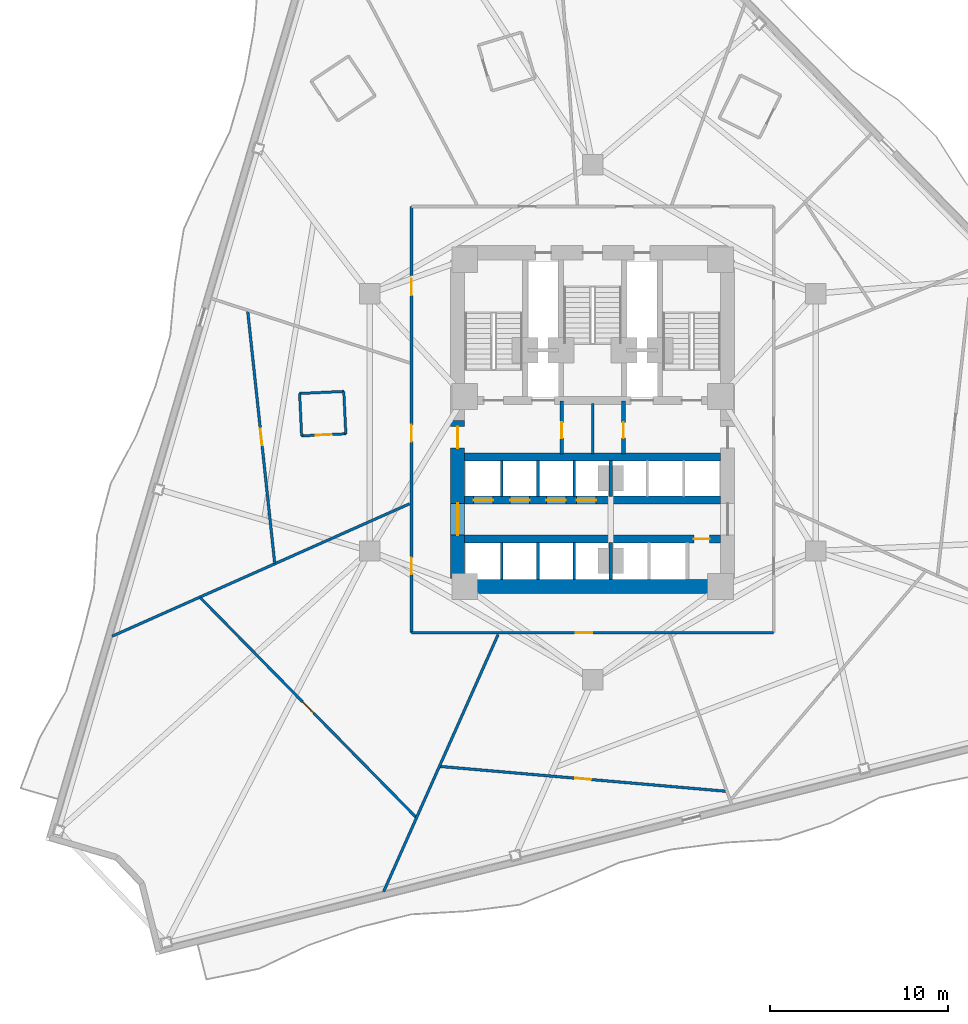
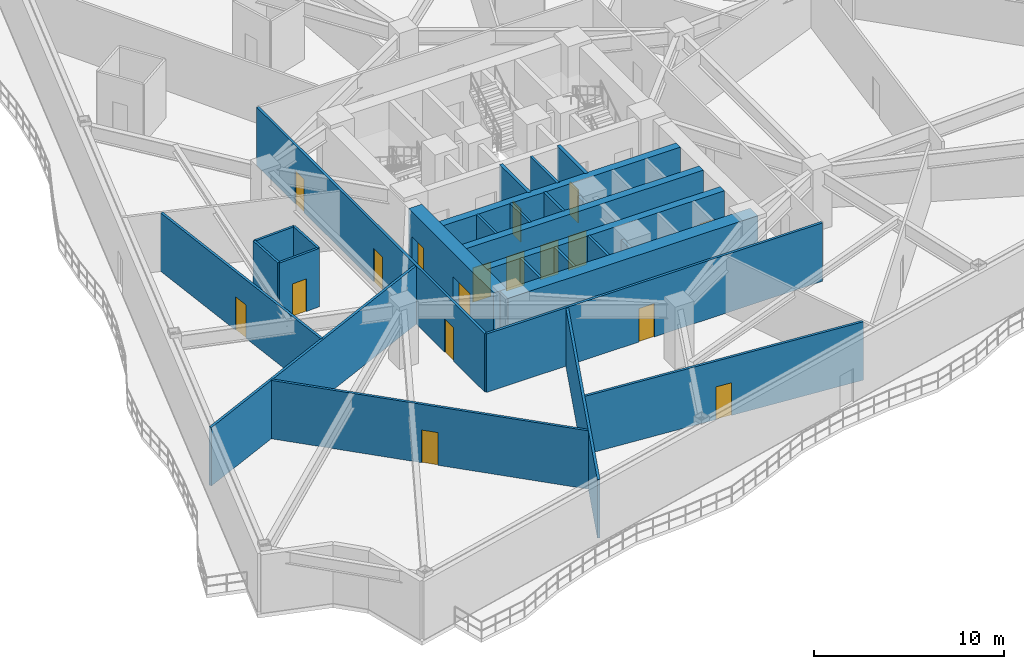
# One storey, part 3 of 10: 27 walls, 17 doors, 17 openings.
"""IFC4 building model written with IfcOpenShell, lengths in metres."""

from ifc_helpers import new_model, si_unit, direction, frame, frame_2d, origin, place, context, subcontext, project, spatial, rectangle, extrude, material, layer, layer_set, type_object, element, fill, save


model = new_model("IFC4")

# Units and contexts
model_context = context("Model", 3, precision=1e-05, world=origin(), true_north=direction((0.0, 1.0)))
body_context = subcontext(model_context, "Body", "Model", "MODEL_VIEW")
ifc_project = project(units=[si_unit("LENGTHUNIT", "METRE"), si_unit("AREAUNIT", "SQUARE_METRE"), si_unit("VOLUMEUNIT", "CUBIC_METRE"), si_unit("PLANEANGLEUNIT", "RADIAN"), si_unit("MASSUNIT", "GRAM", prefix="KILO")], contexts=[model_context])

# Site, building, storey
site_placement = place(None, origin())
site = spatial("IfcSite", under=ifc_project, at=site_placement, CompositionType="ELEMENT")
building_placement = place(site_placement, origin())
building = spatial("IfcBuilding", under=site, at=building_placement, Name="Apsidion Concourse Tower", CompositionType="ELEMENT")
storey_placement = place(building_placement, frame((0.0, 0.0, 99.0)))
storey = spatial("IfcBuildingStorey", under=building, at=storey_placement, Name="L22", CompositionType="ELEMENT", Elevation=99.0)

# Walls
ifc_material_1 = material(Name="Gypsum plasterboard partition")
ifc_layer_1 = layer(ifc_material_1, 0.139892578125)
ifc_layer_set_1 = layer_set([ifc_layer_1], Name="Gypsum plasterboard partition")
wall_type_1 = type_object("IfcWallType", Name="WL-INT-PAR-140", PredefinedType="PARTITIONING", material=ifc_layer_set_1)
wall_1_placement = place(storey_placement, frame((-14.0107421875, 1.73876953125, 0.0), z_axis=(0.0, 0.0, 1.0), x_axis=(-0.998891967953, -0.04706204796, 0.0)))
element("IfcWall", 1, at=wall_1_placement, inside=storey, type_object=wall_type_1, Name="L22 Interior Partition WL-L22-POD-HKAWC-S1", PredefinedType="PARTITIONING", context=body_context, shape_type="SweptSolid", body=[
    extrude(rectangle(XDim=2.489990234375, YDim=0.139892578125, at=frame_2d((1.2451171875, 0.0))), origin(), (0.0, 0.0, 1.0), 3.75),
])
wall_2_placement = place(storey_placement, frame((-16.498046875, 1.62158203125, 0.0), z_axis=(0.0, 0.0, 1.0), x_axis=(0.047089538804, -0.998890672364, 0.0)))
element("IfcWall", 2, at=wall_2_placement, inside=storey, type_object=wall_type_1, Name="L22 Interior Partition WL-L22-POD-HKAWC-S2", PredefinedType="PARTITIONING", context=body_context, shape_type="SweptSolid", body=[
    extrude(rectangle(XDim=2.39013671875, YDim=0.139892578125, at=frame_2d((1.195068359375, 0.0))), origin(), (0.0, 0.0, 1.0), 3.75),
])

# Wall, opening, door
wall_3_placement = place(storey_placement, frame((-16.385498046875, -0.765869140625, 0.0), z_axis=(0.0, 0.0, 1.0), x_axis=(0.998887354054, 0.04715987606, 0.0)))
wall_3 = element("IfcWall", 3, at=wall_3_placement, inside=storey, type_object=wall_type_1, Name="L22 Interior Partition WL-L22-POD-HKAWC-S3", PredefinedType="PARTITIONING", context=body_context, shape_type="SweptSolid", body=[
    extrude(rectangle(XDim=2.489990234375, YDim=0.139892578125, at=frame_2d((1.2451171875, 0.0))), origin(), (0.0, 0.0, 1.0), 3.75),
])
opening_1_placement = place(wall_3_placement, frame((0.804931640625, 0.0, 0.0)))
opening_1 = element("IfcOpeningElement", 4, at=opening_1_placement, cuts=wall_3, Name="Opening D-03L", PredefinedType="OPENING", context=body_context, shape_type="SweptSolid", body=[
    extrude(rectangle(XDim=0.8798828125, YDim=2.10009765625, at=frame_2d((0.43994140625, 1.050048828125))), frame((0.0, 0.080078125, 0.0), z_axis=(0.0, -1.0, 0.0), x_axis=(1.0, 0.0, 0.0)), (0.0, 0.0, 1.0), 0.159912109375),
])
ifc_material_2 = material(Name="Anodised aluminium EN AW-6063 T6", Category="aluminium")
door_type_1 = type_object("IfcDoorType", Name="DR-INT-D03L", OperationType="SINGLE_SWING_LEFT", PredefinedType="DOOR", material=ifc_material_2)
door_1_placement = place(opening_1_placement, origin())
door_1 = element("IfcDoor", 5, at=door_1_placement, inside=storey, type_object=door_type_1, Name="L22 Hotel Accessible WC Door HKAWC", OperationType="SINGLE_SWING_LEFT", OverallHeight=2.10009765625, OverallWidth=0.8798828125, PredefinedType="DOOR", context=body_context, shape_type="SweptSolid", body=[
    extrude(rectangle(XDim=0.8798828125, YDim=2.10009765625, at=frame_2d((0.43994140625, 1.050048828125))), frame((0.0, 0.02490234375, 0.0), z_axis=(0.0, -1.0, 0.0), x_axis=(1.0, 0.0, 0.0)), (0.0, 0.0, 1.0), 0.050048828125),
])
fill(opening_1, door_1)

# Walls
wall_4_placement = place(storey_placement, frame((-13.898193359375, -0.6484375, 0.0), z_axis=(0.0, 0.0, 1.0), x_axis=(-0.047094343989, 0.998890445827, 0.0)))
element("IfcWall", 6, at=wall_4_placement, inside=storey, type_object=wall_type_1, Name="L22 Interior Partition WL-L22-POD-HKAWC-S4", PredefinedType="PARTITIONING", context=body_context, shape_type="SweptSolid", body=[
    extrude(rectangle(XDim=2.389892578125, YDim=0.139892578125, at=frame_2d((1.19482421875, 0.0))), origin(), (0.0, 0.0, 1.0), 3.75),
])
ifc_layer_2 = layer(ifc_material_1, 0.14990234375)
ifc_layer_set_2 = layer_set([ifc_layer_2], Name="Gypsum plasterboard partition")
wall_type_2 = type_object("IfcWallType", Name="WL-INT-PAR-150", PredefinedType="PARTITIONING", material=ifc_layer_set_2)
for number, where, z_axis, x_axis, name in (
    (7, (-5.125, -4.179931640625, 0.0), (0.0, 0.0, 1.0), (0.0, 1.0, 0.0), "L22 Interior Partition WL-L22-B1DIV-1"),
    (8, (-3.074951171875, -4.179931640625, 0.0), (0.0, 0.0, 1.0), (0.0, 1.0, 0.0), "L22 Interior Partition WL-L22-B1DIV-2"),
    (9, (-1.02490234375, -4.179931640625, 0.0), (0.0, 0.0, 1.0), (0.0, 1.0, 0.0), "L22 Interior Partition WL-L22-B1DIV-3"),
):
    element("IfcWall", number, at=place(storey_placement, frame(where, z_axis=z_axis, x_axis=x_axis)), inside=storey, type_object=wall_type_2, Name=name, PredefinedType="PARTITIONING", context=body_context, shape_type="SweptSolid", body=[
        extrude(rectangle(XDim=2.030029296875, YDim=0.14990234375, at=frame_2d((1.01513671875, 0.0))), origin(), (0.0, 0.0, 1.0), 3.75),
    ])
for number, where, z_axis, x_axis, name in (
    (10, (-5.125, -8.85009765625, 0.0), (0.0, 0.0, 1.0), (0.0, 1.0, 0.0), "L22 Interior Partition WL-L22-B2DIV-1"),
    (11, (-3.074951171875, -8.85009765625, 0.0), (0.0, 0.0, 1.0), (0.0, 1.0, 0.0), "L22 Interior Partition WL-L22-B2DIV-2"),
    (12, (-1.02490234375, -8.85009765625, 0.0), (0.0, 0.0, 1.0), (0.0, 1.0, 0.0), "L22 Interior Partition WL-L22-B2DIV-3"),
):
    element("IfcWall", number, at=place(storey_placement, frame(where, z_axis=z_axis, x_axis=x_axis)), inside=storey, type_object=wall_type_2, Name=name, PredefinedType="PARTITIONING", context=body_context, shape_type="SweptSolid", body=[
        extrude(rectangle(XDim=2.080078125, YDim=0.14990234375, at=frame_2d((1.0400390625, 0.0))), origin(), (0.0, 0.0, 1.0), 3.75),
    ])
wall_5_placement = place(storey_placement, frame((0.0, -1.780029296875, 0.0), z_axis=(0.0, 0.0, 1.0), x_axis=(0.0, 1.0, 0.0)))
element("IfcWall", 13, at=wall_5_placement, inside=storey, type_object=wall_type_2, Name="L22 Interior Partition WL-L22-K3V", PredefinedType="PARTITIONING", context=body_context, shape_type="SweptSolid", body=[
    extrude(rectangle(XDim=2.830078125, YDim=0.14990234375, at=frame_2d((1.4150390625, 0.0))), origin(), (0.0, 0.0, 1.0), 3.75),
])

# Wall, opening, door
wall_6_placement = place(storey_placement, frame((10.199951171875, -11.85009765625, 0.0), z_axis=(0.0, 0.0, 1.0), x_axis=(-1.0, 0.0, 0.0)))
wall_6 = element("IfcWall", 14, at=wall_6_placement, inside=storey, type_object=wall_type_2, Name="L22 Interior Partition WL-L22-CORR-03", PredefinedType="PARTITIONING", context=body_context, shape_type="SweptSolid", body=[
    extrude(rectangle(XDim=20.39990234375, YDim=0.14990234375, at=frame_2d((10.199951171875, 0.0))), origin(), (0.0, 0.0, 1.0), 3.75),
])
opening_2_placement = place(wall_6_placement, frame((10.21044921875, 0.0, 0.0)))
opening_2 = element("IfcOpeningElement", 15, at=opening_2_placement, cuts=wall_6, Name="Opening D-01L", PredefinedType="OPENING", context=body_context, shape_type="SweptSolid", body=[
    extrude(rectangle(XDim=0.949951171875, YDim=2.14990234375, at=frame_2d((0.47509765625, 1.074951171875))), frame((0.0, 0.0849609375, 0.0), z_axis=(0.0, -1.0, 0.0), x_axis=(1.0, 0.0, 0.0)), (0.0, 0.0, 1.0), 0.169921875),
])
ifc_material_3 = material(Name="Brushed stainless steel 316", Category="steel")
door_type_2 = type_object("IfcDoorType", Name="DR-INT-D01L", OperationType="SINGLE_SWING_LEFT", PredefinedType="DOOR", material=ifc_material_3)
door_2_placement = place(opening_2_placement, origin())
door_2 = element("IfcDoor", 16, at=door_2_placement, inside=storey, type_object=door_type_2, Name="L22 Corridor Entry Door 03", OperationType="SINGLE_SWING_LEFT", OverallHeight=2.14990234375, OverallWidth=0.949951171875, PredefinedType="DOOR", context=body_context, shape_type="SweptSolid", body=[
    extrude(rectangle(XDim=0.949951171875, YDim=2.14990234375, at=frame_2d((0.47509765625, 1.074951171875))), frame((0.0, 0.02490234375, 0.0), z_axis=(0.0, -1.0, 0.0), x_axis=(1.0, 0.0, 0.0)), (0.0, 0.0, 1.0), 0.050048828125),
])
fill(opening_2, door_2)

# Wall, openings, doors
wall_7_placement = place(storey_placement, frame((-10.199951171875, -11.85009765625, 0.0), z_axis=(0.0, 0.0, 1.0), x_axis=(0.0, 1.0, 0.0)))
wall_7 = element("IfcWall", 17, at=wall_7_placement, inside=storey, type_object=wall_type_2, Name="L22 Interior Partition WL-L22-CORR-04", PredefinedType="PARTITIONING", context=body_context, shape_type="SweptSolid", body=[
    extrude(rectangle(XDim=24.0, YDim=0.14990234375, at=frame_2d((12.0, 0.0))), origin(), (0.0, 0.0, 1.0), 3.75),
])
opening_3_placement = place(wall_7_placement, frame((10.754638671875, 0.0, 0.0)))
opening_3 = element("IfcOpeningElement", 18, at=opening_3_placement, cuts=wall_7, Name="Opening D-01L", PredefinedType="OPENING", context=body_context, shape_type="SweptSolid", body=[
    extrude(rectangle(XDim=0.949951171875, YDim=2.14990234375, at=frame_2d((0.47509765625, 1.074951171875))), frame((0.0, 0.0849609375, 0.0), z_axis=(0.0, -1.0, 0.0), x_axis=(1.0, 0.0, 0.0)), (0.0, 0.0, 1.0), 0.169921875),
])
opening_4_placement = place(wall_7_placement, frame((3.285888671875, 0.0, 0.0)))
opening_4 = element("IfcOpeningElement", 19, at=opening_4_placement, cuts=wall_7, Name="Opening D-01R", PredefinedType="OPENING", context=body_context, shape_type="SweptSolid", body=[
    extrude(rectangle(XDim=0.949951171875, YDim=2.14990234375, at=frame_2d((0.47509765625, 1.074951171875))), frame((0.0, 0.0849609375, 0.0), z_axis=(0.0, -1.0, 0.0), x_axis=(1.0, 0.0, 0.0)), (0.0, 0.0, 1.0), 0.169921875),
])
opening_5_placement = place(wall_7_placement, frame((18.993896484375, 0.0, 0.0)))
opening_5 = element("IfcOpeningElement", 20, at=opening_5_placement, cuts=wall_7, Name="Opening D-01R", PredefinedType="OPENING", context=body_context, shape_type="SweptSolid", body=[
    extrude(rectangle(XDim=0.949951171875, YDim=2.14990234375, at=frame_2d((0.47509765625, 1.074951171875))), frame((0.0, 0.0849609375, 0.0), z_axis=(0.0, -1.0, 0.0), x_axis=(1.0, 0.0, 0.0)), (0.0, 0.0, 1.0), 0.169921875),
])
door_3_placement = place(opening_3_placement, origin())
door_3 = element("IfcDoor", 21, at=door_3_placement, inside=storey, type_object=door_type_2, Name="L22 Corridor Entry Door 01", OperationType="SINGLE_SWING_LEFT", OverallHeight=2.14990234375, OverallWidth=0.949951171875, PredefinedType="DOOR", context=body_context, shape_type="SweptSolid", body=[
    extrude(rectangle(XDim=0.949951171875, YDim=2.14990234375, at=frame_2d((0.47509765625, 1.074951171875))), frame((0.0, 0.02490234375, 0.0), z_axis=(0.0, -1.0, 0.0), x_axis=(1.0, 0.0, 0.0)), (0.0, 0.0, 1.0), 0.050048828125),
])
fill(opening_3, door_3)
door_type_3 = type_object("IfcDoorType", Name="DR-INT-D01R", OperationType="SINGLE_SWING_RIGHT", PredefinedType="DOOR", material=ifc_material_3)
door_4_placement = place(opening_4_placement, origin())
door_4 = element("IfcDoor", 22, at=door_4_placement, inside=storey, type_object=door_type_3, Name="L22 Corridor Entry Door 02", OperationType="SINGLE_SWING_RIGHT", OverallHeight=2.14990234375, OverallWidth=0.949951171875, PredefinedType="DOOR", context=body_context, shape_type="SweptSolid", body=[
    extrude(rectangle(XDim=0.949951171875, YDim=2.14990234375, at=frame_2d((0.47509765625, 1.074951171875))), frame((0.0, 0.02490234375, 0.0), z_axis=(0.0, -1.0, 0.0), x_axis=(1.0, 0.0, 0.0)), (0.0, 0.0, 1.0), 0.050048828125),
])
fill(opening_4, door_4)
door_5_placement = place(opening_5_placement, origin())
door_5 = element("IfcDoor", 23, at=door_5_placement, inside=storey, type_object=door_type_3, Name="L22 Corridor Entry Door 10", OperationType="SINGLE_SWING_RIGHT", OverallHeight=2.14990234375, OverallWidth=0.949951171875, PredefinedType="DOOR", context=body_context, shape_type="SweptSolid", body=[
    extrude(rectangle(XDim=0.949951171875, YDim=2.14990234375, at=frame_2d((0.47509765625, 1.074951171875))), frame((0.0, 0.02490234375, 0.0), z_axis=(0.0, -1.0, 0.0), x_axis=(1.0, 0.0, 0.0)), (0.0, 0.0, 1.0), 0.050048828125),
])
fill(opening_5, door_5)

# Walls
wall_8_placement = place(storey_placement, frame((-10.304931640625, -4.588134765625, 0.0), z_axis=(0.0, 0.0, 1.0), x_axis=(-0.913545101845, -0.406737442209, 0.0)))
element("IfcWall", 24, at=wall_8_placement, inside=storey, type_object=wall_type_2, Name="L22 Interior Partition WL-L22-RAD-07-1", PredefinedType="PARTITIONING", context=body_context, shape_type="SweptSolid", body=[
    extrude(rectangle(XDim=18.339111328125, YDim=0.14990234375, at=frame_2d((9.16943359375, 0.0))), origin(), (0.0, 0.0, 1.0), 3.75),
])
wall_9_placement = place(storey_placement, frame((-5.32275390625, -11.955078125, 0.0), z_axis=(0.0, 0.0, 1.0), x_axis=(-0.406742899109, -0.913542672252, 0.0)))
element("IfcWall", 25, at=wall_9_placement, inside=storey, type_object=wall_type_2, Name="L22 Interior Partition WL-L22-RAD-08-1", PredefinedType="PARTITIONING", context=body_context, shape_type="SweptSolid", body=[
    extrude(rectangle(XDim=15.850341796875, YDim=0.14990234375, at=frame_2d((7.92529296875, 0.0))), origin(), (0.0, 0.0, 1.0), 3.75),
])

# Wall, opening, door
wall_10_placement = place(storey_placement, frame((-19.4248046875, 6.28515625, 0.0), z_axis=(0.0, 0.0, 1.0), x_axis=(0.106499989616, -0.994312703435, 0.0)))
wall_10 = element("IfcWall", 26, at=wall_10_placement, inside=storey, type_object=wall_type_2, Name="L22 Interior Partition WL-L22-CHD-HKWC", PredefinedType="PARTITIONING", context=body_context, shape_type="SweptSolid", body=[
    extrude(rectangle(XDim=14.30908203125, YDim=0.14990234375, at=frame_2d((7.154541015625, 0.0))), origin(), (0.0, 0.0, 1.0), 3.75),
])
opening_6_placement = place(wall_10_placement, frame((6.6796875, 0.0, 0.0)))
opening_6 = element("IfcOpeningElement", 27, at=opening_6_placement, cuts=wall_10, Name="Opening D-04R", PredefinedType="OPENING", context=body_context, shape_type="SweptSolid", body=[
    extrude(rectangle(XDim=0.949951171875, YDim=2.14990234375, at=frame_2d((0.47509765625, 1.074951171875))), frame((0.0, 0.0849609375, 0.0), z_axis=(0.0, -1.0, 0.0), x_axis=(1.0, 0.0, 0.0)), (0.0, 0.0, 1.0), 0.169921875),
])
door_type_4 = type_object("IfcDoorType", Name="DR-INT-D04R", OperationType="SINGLE_SWING_RIGHT", PredefinedType="DOOR", material=ifc_material_3)
door_6_placement = place(opening_6_placement, origin())
door_6 = element("IfcDoor", 28, at=door_6_placement, inside=storey, type_object=door_type_4, Name="L22 Suite Connecting Door HKWC", OperationType="SINGLE_SWING_RIGHT", OverallHeight=2.14990234375, OverallWidth=0.949951171875, PredefinedType="DOOR", context=body_context, shape_type="SweptSolid", body=[
    extrude(rectangle(XDim=0.949951171875, YDim=2.14990234375, at=frame_2d((0.47509765625, 1.074951171875))), frame((0.0, 0.02490234375, 0.0), z_axis=(0.0, -1.0, 0.0), x_axis=(1.0, 0.0, 0.0)), (0.0, 0.0, 1.0), 0.050048828125),
])
fill(opening_6, door_6)

wall_11_placement = place(storey_placement, frame((-22.102783203125, -9.8681640625, 0.0), z_axis=(0.0, 0.0, 1.0), x_axis=(0.700899335427, -0.713260206095, 0.0)))
wall_11 = element("IfcWall", 29, at=wall_11_placement, inside=storey, type_object=wall_type_2, Name="L22 Interior Partition WL-L22-CHD-HXS01", PredefinedType="PARTITIONING", context=body_context, shape_type="SweptSolid", body=[
    extrude(rectangle(XDim=17.361083984375, YDim=0.14990234375, at=frame_2d((8.6806640625, 0.0))), origin(), (0.0, 0.0, 1.0), 3.75),
])
opening_7_placement = place(wall_11_placement, frame((8.230712890625, 0.0, 0.0)))
opening_7 = element("IfcOpeningElement", 30, at=opening_7_placement, cuts=wall_11, Name="Opening D-02L", PredefinedType="OPENING", context=body_context, shape_type="SweptSolid", body=[
    extrude(rectangle(XDim=0.89990234375, YDim=2.10009765625, at=frame_2d((0.449951171875, 1.050048828125))), frame((0.0, 0.0849609375, 0.0), z_axis=(0.0, -1.0, 0.0), x_axis=(1.0, 0.0, 0.0)), (0.0, 0.0, 1.0), 0.169921875),
])
door_type_5 = type_object("IfcDoorType", Name="DR-INT-D02L", OperationType="SINGLE_SWING_LEFT", PredefinedType="DOOR", material=ifc_material_2)
door_7_placement = place(opening_7_placement, origin())
door_7 = element("IfcDoor", 31, at=door_7_placement, inside=storey, type_object=door_type_5, Name="L22 Suite Connecting Door HXS01", OperationType="SINGLE_SWING_LEFT", OverallHeight=2.10009765625, OverallWidth=0.89990234375, PredefinedType="DOOR", context=body_context, shape_type="SweptSolid", body=[
    extrude(rectangle(XDim=0.89990234375, YDim=2.10009765625, at=frame_2d((0.449951171875, 1.050048828125))), frame((0.0, 0.02490234375, 0.0), z_axis=(0.0, -1.0, 0.0), x_axis=(1.0, 0.0, 0.0)), (0.0, 0.0, 1.0), 0.050048828125),
])
fill(opening_7, door_7)

wall_12_placement = place(storey_placement, frame((-8.6005859375, -19.37890625, 0.0), z_axis=(0.0, 0.0, 1.0), x_axis=(0.996246863146, -0.086557424131, 0.0)))
wall_12 = element("IfcWall", 32, at=wall_12_placement, inside=storey, type_object=wall_type_2, Name="L22 Interior Partition WL-L22-CHD-HXS02", PredefinedType="PARTITIONING", context=body_context, shape_type="SweptSolid", body=[
    extrude(rectangle(XDim=16.198486328125, YDim=0.14990234375, at=frame_2d((8.09912109375, 0.0))), origin(), (0.0, 0.0, 1.0), 3.75),
])
opening_8_placement = place(wall_12_placement, frame((7.649169921875, 0.0, 0.0)))
opening_8 = element("IfcOpeningElement", 33, at=opening_8_placement, cuts=wall_12, Name="Opening D-02R", PredefinedType="OPENING", context=body_context, shape_type="SweptSolid", body=[
    extrude(rectangle(XDim=0.89990234375, YDim=2.10009765625, at=frame_2d((0.449951171875, 1.050048828125))), frame((0.0, 0.0849609375, 0.0), z_axis=(0.0, -1.0, 0.0), x_axis=(1.0, 0.0, 0.0)), (0.0, 0.0, 1.0), 0.169921875),
])
door_type_6 = type_object("IfcDoorType", Name="DR-INT-D02R", OperationType="SINGLE_SWING_RIGHT", PredefinedType="DOOR", material=ifc_material_2)
door_8_placement = place(opening_8_placement, origin())
door_8 = element("IfcDoor", 34, at=door_8_placement, inside=storey, type_object=door_type_6, Name="L22 Suite Connecting Door HXS02", OperationType="SINGLE_SWING_RIGHT", OverallHeight=2.10009765625, OverallWidth=0.89990234375, PredefinedType="DOOR", context=body_context, shape_type="SweptSolid", body=[
    extrude(rectangle(XDim=0.89990234375, YDim=2.10009765625, at=frame_2d((0.449951171875, 1.050048828125))), frame((0.0, 0.02490234375, 0.0), z_axis=(0.0, -1.0, 0.0), x_axis=(1.0, 0.0, 0.0)), (0.0, 0.0, 1.0), 0.050048828125),
])
fill(opening_8, door_8)

# Walls
ifc_layer_3 = layer(ifc_material_1, 0.179931640625)
ifc_layer_set_3 = layer_set([ifc_layer_3], Name="Gypsum plasterboard partition")
wall_type_3 = type_object("IfcWallType", Name="WL-INT-PAR-180", PredefinedType="PARTITIONING", material=ifc_layer_set_3)
wall_13_placement = place(storey_placement, frame((1.02490234375, -4.179931640625, 0.0), z_axis=(0.0, 0.0, 1.0), x_axis=(0.0, 1.0, 0.0)))
element("IfcWall", 35, at=wall_13_placement, inside=storey, type_object=wall_type_3, Name="L22 Interior Partition WL-L22-B1END", PredefinedType="PARTITIONING", context=body_context, shape_type="SweptSolid", body=[
    extrude(rectangle(XDim=2.030029296875, YDim=0.179931640625, at=frame_2d((1.01513671875, 0.0))), origin(), (0.0, 0.0, 1.0), 2.798095703125),
])
wall_14_placement = place(storey_placement, frame((1.02490234375, -8.85009765625, 0.0), z_axis=(0.0, 0.0, 1.0), x_axis=(0.0, 1.0, 0.0)))
element("IfcWall", 36, at=wall_14_placement, inside=storey, type_object=wall_type_3, Name="L22 Interior Partition WL-L22-B2END", PredefinedType="PARTITIONING", context=body_context, shape_type="SweptSolid", body=[
    extrude(rectangle(XDim=2.080078125, YDim=0.179931640625, at=frame_2d((1.0400390625, 0.0))), origin(), (0.0, 0.0, 1.0), 2.798095703125),
])

# Wall, opening, door
ifc_layer_4 = layer(ifc_material_1, 0.199951171875)
ifc_layer_set_4 = layer_set([ifc_layer_4], Name="Gypsum plasterboard partition")
wall_type_4 = type_object("IfcWallType", Name="WL-INT-PAR-200", PredefinedType="PARTITIONING", material=ifc_layer_set_4)
wall_15_placement = place(storey_placement, frame((-1.739990234375, -1.780029296875, 0.0), z_axis=(0.0, 0.0, 1.0), x_axis=(0.0, 1.0, 0.0)))
wall_15 = element("IfcWall", 37, at=wall_15_placement, inside=storey, type_object=wall_type_4, Name="L22 Interior Partition WL-L22-FF1-E", PredefinedType="PARTITIONING", context=body_context, shape_type="SweptSolid", body=[
    extrude(rectangle(XDim=2.97998046875, YDim=0.199951171875, at=frame_2d((1.489990234375, 0.0))), origin(), (0.0, 0.0, 1.0), 3.75),
])
opening_9_placement = place(wall_15_placement, frame((0.889892578125, 0.0, 0.0)))
opening_9 = element("IfcOpeningElement", 38, at=opening_9_placement, cuts=wall_15, Name="Opening D-05R", PredefinedType="OPENING", context=body_context, shape_type="SweptSolid", body=[
    extrude(rectangle(XDim=0.8798828125, YDim=2.14990234375, at=frame_2d((0.43994140625, 1.074951171875))), frame((0.0, 0.10986328125, 0.0), z_axis=(0.0, -1.0, 0.0), x_axis=(1.0, 0.0, 0.0)), (0.0, 0.0, 1.0), 0.219970703125),
])
door_type_7 = type_object("IfcDoorType", Name="DR-INT-D05R", OperationType="SINGLE_SWING_RIGHT", PredefinedType="DOOR", material=ifc_material_3)
door_9_placement = place(opening_9_placement, origin())
door_9 = element("IfcDoor", 39, at=door_9_placement, inside=storey, type_object=door_type_7, Name="L22 Core Pantry Door", OperationType="SINGLE_SWING_RIGHT", OverallHeight=2.14990234375, OverallWidth=0.8798828125, PredefinedType="DOOR", context=body_context, shape_type="SweptSolid", body=[
    extrude(rectangle(XDim=0.8798828125, YDim=2.14990234375, at=frame_2d((0.43994140625, 1.074951171875))), frame((0.0, 0.02490234375, 0.0), z_axis=(0.0, -1.0, 0.0), x_axis=(1.0, 0.0, 0.0)), (0.0, 0.0, 1.0), 0.050048828125),
])
fill(opening_9, door_9)

wall_16_placement = place(storey_placement, frame((1.739990234375, -1.780029296875, 0.0), z_axis=(0.0, 0.0, 1.0), x_axis=(0.0, 1.0, 0.0)))
wall_16 = element("IfcWall", 40, at=wall_16_placement, inside=storey, type_object=wall_type_4, Name="L22 Interior Partition WL-L22-FF2-W", PredefinedType="PARTITIONING", context=body_context, shape_type="SweptSolid", body=[
    extrude(rectangle(XDim=2.97998046875, YDim=0.199951171875, at=frame_2d((1.489990234375, 0.0))), origin(), (0.0, 0.0, 1.0), 3.75),
])
opening_10_placement = place(wall_16_placement, frame((0.889892578125, 0.0, 0.0)))
opening_10 = element("IfcOpeningElement", 41, at=opening_10_placement, cuts=wall_16, Name="Opening D-05L", PredefinedType="OPENING", context=body_context, shape_type="SweptSolid", body=[
    extrude(rectangle(XDim=0.8798828125, YDim=2.14990234375, at=frame_2d((0.43994140625, 1.074951171875))), frame((0.0, 0.10986328125, 0.0), z_axis=(0.0, -1.0, 0.0), x_axis=(1.0, 0.0, 0.0)), (0.0, 0.0, 1.0), 0.219970703125),
])
door_type_8 = type_object("IfcDoorType", Name="DR-INT-D05L", OperationType="SINGLE_SWING_LEFT", PredefinedType="DOOR", material=ifc_material_3)
door_10_placement = place(opening_10_placement, origin())
door_10 = element("IfcDoor", 42, at=door_10_placement, inside=storey, type_object=door_type_8, Name="L22 Core Electrical Door", OperationType="SINGLE_SWING_LEFT", OverallHeight=2.14990234375, OverallWidth=0.8798828125, PredefinedType="DOOR", context=body_context, shape_type="SweptSolid", body=[
    extrude(rectangle(XDim=0.8798828125, YDim=2.14990234375, at=frame_2d((0.43994140625, 1.074951171875))), frame((0.0, 0.02490234375, 0.0), z_axis=(0.0, -1.0, 0.0), x_axis=(1.0, 0.0, 0.0)), (0.0, 0.0, 1.0), 0.050048828125),
])
fill(opening_10, door_10)

# Wall
ifc_material_4 = material(Name="Concrete C60/75", Category="concrete")
ifc_layer_5 = layer(ifc_material_4, 0.449951171875)
ifc_layer_set_5 = layer_set([ifc_layer_5], Name="Concrete C60/75")
wall_type_5 = type_object("IfcWallType", Name="WL-SH-450", PredefinedType="SHEAR", material=ifc_layer_set_5)
wall_17_placement = place(storey_placement, frame((-7.199951171875, -1.949951171875, 0.0), z_axis=(0.0, 0.0, 1.0), x_axis=(1.0, 0.0, 0.0)))
element("IfcWall", 43, at=wall_17_placement, inside=storey, type_object=wall_type_5, Name="L22 Central Core Shear Wall M2", PredefinedType="SHEAR", context=body_context, shape_type="SweptSolid", body=[
    extrude(rectangle(XDim=14.39990234375, YDim=0.449951171875, at=frame_2d((7.199951171875, 0.0))), origin(), (0.0, 0.0, 1.0), 3.75),
])

# Wall, openings, doors
wall_18_placement = place(storey_placement, frame((-7.199951171875, -4.3798828125, 0.0), z_axis=(0.0, 0.0, 1.0), x_axis=(1.0, 0.0, 0.0)))
wall_18 = element("IfcWall", 44, at=wall_18_placement, inside=storey, type_object=wall_type_5, Name="L22 Central Core Shear Wall LA", PredefinedType="SHEAR", context=body_context, shape_type="SweptSolid", body=[
    extrude(rectangle(XDim=14.39990234375, YDim=0.449951171875, at=frame_2d((7.199951171875, 0.0))), origin(), (0.0, 0.0, 1.0), 3.75),
])
opening_11_placement = place(wall_18_placement, frame((0.5, 0.0, 0.0)))
opening_11 = element("IfcOpeningElement", 45, at=opening_11_placement, cuts=wall_18, Name="Opening LD-P1", PredefinedType="OPENING", context=body_context, shape_type="SweptSolid", body=[
    extrude(rectangle(XDim=1.10009765625, YDim=2.199951171875, at=frame_2d((0.550048828125, 1.10009765625))), frame((0.0, 0.23486328125, 0.0), z_axis=(0.0, -1.0, 0.0), x_axis=(1.0, 0.0, 0.0)), (0.0, 0.0, 1.0), 0.469970703125),
])
opening_12_placement = place(wall_18_placement, frame((2.550048828125, 0.0, 0.0)))
opening_12 = element("IfcOpeningElement", 46, at=opening_12_placement, cuts=wall_18, Name="Opening LD-P1", PredefinedType="OPENING", context=body_context, shape_type="SweptSolid", body=[
    extrude(rectangle(XDim=1.10009765625, YDim=2.199951171875, at=frame_2d((0.550048828125, 1.10009765625))), frame((0.0, 0.23486328125, 0.0), z_axis=(0.0, -1.0, 0.0), x_axis=(1.0, 0.0, 0.0)), (0.0, 0.0, 1.0), 0.469970703125),
])
opening_13_placement = place(wall_18_placement, frame((4.60009765625, 0.0, 0.0)))
opening_13 = element("IfcOpeningElement", 47, at=opening_13_placement, cuts=wall_18, Name="Opening LD-P1", PredefinedType="OPENING", context=body_context, shape_type="SweptSolid", body=[
    extrude(rectangle(XDim=1.10009765625, YDim=2.199951171875, at=frame_2d((0.550048828125, 1.10009765625))), frame((0.0, 0.23486328125, 0.0), z_axis=(0.0, -1.0, 0.0), x_axis=(1.0, 0.0, 0.0)), (0.0, 0.0, 1.0), 0.469970703125),
])
opening_14_placement = place(wall_18_placement, frame((6.300048828125, 0.0, 0.0)))
opening_14 = element("IfcOpeningElement", 48, at=opening_14_placement, cuts=wall_18, Name="Opening LD-P1", PredefinedType="OPENING", context=body_context, shape_type="SweptSolid", body=[
    extrude(rectangle(XDim=1.10009765625, YDim=2.199951171875, at=frame_2d((0.550048828125, 1.10009765625))), frame((0.0, 0.23486328125, 0.0), z_axis=(0.0, -1.0, 0.0), x_axis=(1.0, 0.0, 0.0)), (0.0, 0.0, 1.0), 0.469970703125),
])
door_type_9 = type_object("IfcDoorType", Name="DR-LD-PASS", OperationType="DOUBLE_DOOR_SLIDING", PredefinedType="DOOR", material=ifc_material_3)
door_11_placement = place(opening_11_placement, origin())
door_11 = element("IfcDoor", 49, at=door_11_placement, inside=storey, type_object=door_type_9, Name="L22 Lift Landing Door P1", OperationType="DOUBLE_DOOR_SLIDING", OverallHeight=2.199951171875, OverallWidth=1.10009765625, PredefinedType="DOOR", context=body_context, shape_type="SweptSolid", body=[
    extrude(rectangle(XDim=1.10009765625, YDim=2.199951171875, at=frame_2d((0.550048828125, 1.10009765625))), frame((0.0, 0.02490234375, 0.0), z_axis=(0.0, -1.0, 0.0), x_axis=(1.0, 0.0, 0.0)), (0.0, 0.0, 1.0), 0.050048828125),
])
fill(opening_11, door_11)
door_12_placement = place(opening_12_placement, origin())
door_12 = element("IfcDoor", 50, at=door_12_placement, inside=storey, type_object=door_type_9, Name="L22 Lift Landing Door P2", OperationType="DOUBLE_DOOR_SLIDING", OverallHeight=2.199951171875, OverallWidth=1.10009765625, PredefinedType="DOOR", context=body_context, shape_type="SweptSolid", body=[
    extrude(rectangle(XDim=1.10009765625, YDim=2.199951171875, at=frame_2d((0.550048828125, 1.10009765625))), frame((0.0, 0.02490234375, 0.0), z_axis=(0.0, -1.0, 0.0), x_axis=(1.0, 0.0, 0.0)), (0.0, 0.0, 1.0), 0.050048828125),
])
fill(opening_12, door_12)
door_13_placement = place(opening_13_placement, origin())
door_13 = element("IfcDoor", 51, at=door_13_placement, inside=storey, type_object=door_type_9, Name="L22 Lift Landing Door P3", OperationType="DOUBLE_DOOR_SLIDING", OverallHeight=2.199951171875, OverallWidth=1.10009765625, PredefinedType="DOOR", context=body_context, shape_type="SweptSolid", body=[
    extrude(rectangle(XDim=1.10009765625, YDim=2.199951171875, at=frame_2d((0.550048828125, 1.10009765625))), frame((0.0, 0.02490234375, 0.0), z_axis=(0.0, -1.0, 0.0), x_axis=(1.0, 0.0, 0.0)), (0.0, 0.0, 1.0), 0.050048828125),
])
fill(opening_13, door_13)
door_14_placement = place(opening_14_placement, origin())
door_14 = element("IfcDoor", 52, at=door_14_placement, inside=storey, type_object=door_type_9, Name="L22 Lift Landing Door P4", OperationType="DOUBLE_DOOR_SLIDING", OverallHeight=2.199951171875, OverallWidth=1.10009765625, PredefinedType="DOOR", context=body_context, shape_type="SweptSolid", body=[
    extrude(rectangle(XDim=1.10009765625, YDim=2.199951171875, at=frame_2d((0.550048828125, 1.10009765625))), frame((0.0, 0.02490234375, 0.0), z_axis=(0.0, -1.0, 0.0), x_axis=(1.0, 0.0, 0.0)), (0.0, 0.0, 1.0), 0.050048828125),
])
fill(opening_14, door_14)

# Wall, opening, door
wall_19_placement = place(storey_placement, frame((-7.199951171875, -6.570068359375, 0.0), z_axis=(0.0, 0.0, 1.0), x_axis=(1.0, 0.0, 0.0)))
wall_19 = element("IfcWall", 53, at=wall_19_placement, inside=storey, type_object=wall_type_5, Name="L22 Central Core Shear Wall LB", PredefinedType="SHEAR", context=body_context, shape_type="SweptSolid", body=[
    extrude(rectangle(XDim=14.39990234375, YDim=0.449951171875, at=frame_2d((7.199951171875, 0.0))), origin(), (0.0, 0.0, 1.0), 3.75),
])
opening_15_placement = place(wall_19_placement, frame((12.909912109375, 0.0, 0.0)))
opening_15 = element("IfcOpeningElement", 54, at=opening_15_placement, cuts=wall_19, Name="Opening D-05L", PredefinedType="OPENING", context=body_context, shape_type="SweptSolid", body=[
    extrude(rectangle(XDim=0.8798828125, YDim=2.14990234375, at=frame_2d((0.43994140625, 1.074951171875))), frame((0.0, 0.23486328125, 0.0), z_axis=(0.0, -1.0, 0.0), x_axis=(1.0, 0.0, 0.0)), (0.0, 0.0, 1.0), 0.469970703125),
])
door_15_placement = place(opening_15_placement, origin())
door_15 = element("IfcDoor", 55, at=door_15_placement, inside=storey, type_object=door_type_8, Name="L22 Cleaners Store Door", OperationType="SINGLE_SWING_LEFT", OverallHeight=2.14990234375, OverallWidth=0.8798828125, PredefinedType="DOOR", context=body_context, shape_type="SweptSolid", body=[
    extrude(rectangle(XDim=0.8798828125, YDim=2.14990234375, at=frame_2d((0.43994140625, 1.074951171875))), frame((0.0, 0.02490234375, 0.0), z_axis=(0.0, -1.0, 0.0), x_axis=(1.0, 0.0, 0.0)), (0.0, 0.0, 1.0), 0.050048828125),
])
fill(opening_15, door_15)

# Wall, openings, doors
ifc_layer_6 = layer(ifc_material_4, 0.800048828125)
ifc_layer_set_6 = layer_set([ifc_layer_6], Name="Concrete C60/75")
wall_type_6 = type_object("IfcWallType", Name="WL-SH-800", PredefinedType="SHEAR", material=ifc_layer_set_6)
wall_20_placement = place(storey_placement, frame((-7.60009765625, -8.85009765625, 0.0), z_axis=(0.0, 0.0, 1.0), x_axis=(0.0, 1.0, 0.0)))
wall_20 = element("IfcWall", 56, at=wall_20_placement, inside=storey, type_object=wall_type_6, Name="L22 Central Core Shear Wall WS", PredefinedType="SHEAR", context=body_context, shape_type="SweptSolid", body=[
    extrude(rectangle(XDim=8.9501953125, YDim=0.800048828125, at=frame_2d((4.47509765625, 0.0))), origin(), (0.0, 0.0, 1.0), 3.75),
])
opening_16_placement = place(wall_20_placement, frame((2.489990234375, 0.0, 0.0)))
opening_16 = element("IfcOpeningElement", 57, at=opening_16_placement, cuts=wall_20, Name="Opening D-06D", PredefinedType="OPENING", context=body_context, shape_type="SweptSolid", body=[
    extrude(rectangle(XDim=1.800048828125, YDim=2.199951171875, at=frame_2d((0.89990234375, 1.10009765625))), frame((0.0, 0.41015625, 0.0), z_axis=(0.0, -1.0, 0.0), x_axis=(1.0, 0.0, 0.0)), (0.0, 0.0, 1.0), 0.820068359375),
])
opening_17_placement = place(wall_20_placement, frame((7.39990234375, 0.0, 0.0)))
opening_17 = element("IfcOpeningElement", 58, at=opening_17_placement, cuts=wall_20, Name="Opening D-FFL", PredefinedType="OPENING", context=body_context, shape_type="SweptSolid", body=[
    extrude(rectangle(XDim=1.199951171875, YDim=2.14990234375, at=frame_2d((0.60009765625, 1.074951171875))), frame((0.0, 0.41015625, 0.0), z_axis=(0.0, -1.0, 0.0), x_axis=(1.0, 0.0, 0.0)), (0.0, 0.0, 1.0), 0.820068359375),
])
door_type_10 = type_object("IfcDoorType", Name="DR-INT-D06D", OperationType="DOUBLE_DOOR_SINGLE_SWING", PredefinedType="DOOR", material=ifc_material_3)
door_16_placement = place(opening_16_placement, origin())
door_16 = element("IfcDoor", 59, at=door_16_placement, inside=storey, type_object=door_type_10, Name="L22 Passenger Lift Lobby WS Portal Door", OperationType="DOUBLE_DOOR_SINGLE_SWING", OverallHeight=2.199951171875, OverallWidth=1.800048828125, PredefinedType="DOOR", context=body_context, shape_type="SweptSolid", body=[
    extrude(rectangle(XDim=1.800048828125, YDim=2.199951171875, at=frame_2d((0.89990234375, 1.10009765625))), frame((0.0, 0.02490234375, 0.0), z_axis=(0.0, -1.0, 0.0), x_axis=(1.0, 0.0, 0.0)), (0.0, 0.0, 1.0), 0.050048828125),
])
fill(opening_16, door_16)
door_type_11 = type_object("IfcDoorType", Name="DR-INT-FFL", OperationType="SINGLE_SWING_LEFT", PredefinedType="DOOR", material=ifc_material_3)
door_17_placement = place(opening_17_placement, origin())
door_17 = element("IfcDoor", 60, at=door_17_placement, inside=storey, type_object=door_type_11, Name="L22 Firefighting Lift Lobby FF1 Door", OperationType="SINGLE_SWING_LEFT", OverallHeight=2.14990234375, OverallWidth=1.199951171875, PredefinedType="DOOR", context=body_context, shape_type="SweptSolid", body=[
    extrude(rectangle(XDim=1.199951171875, YDim=2.14990234375, at=frame_2d((0.60009765625, 1.074951171875))), frame((0.0, 0.02490234375, 0.0), z_axis=(0.0, -1.0, 0.0), x_axis=(1.0, 0.0, 0.0)), (0.0, 0.0, 1.0), 0.050048828125),
])
fill(opening_17, door_17)

# Wall
wall_21_placement = place(storey_placement, frame((-7.60009765625, -9.25, 0.0), z_axis=(0.0, 0.0, 1.0), x_axis=(1.0, 0.0, 0.0)))
element("IfcWall", 61, at=wall_21_placement, inside=storey, type_object=wall_type_6, Name="L22 Central Core Shear Wall S", PredefinedType="SHEAR", context=body_context, shape_type="SweptSolid", body=[
    extrude(rectangle(XDim=15.2001953125, YDim=0.800048828125, at=frame_2d((7.60009765625, 0.0))), origin(), (0.0, 0.0, 1.0), 3.75),
])

save(model, "model.ifc")
